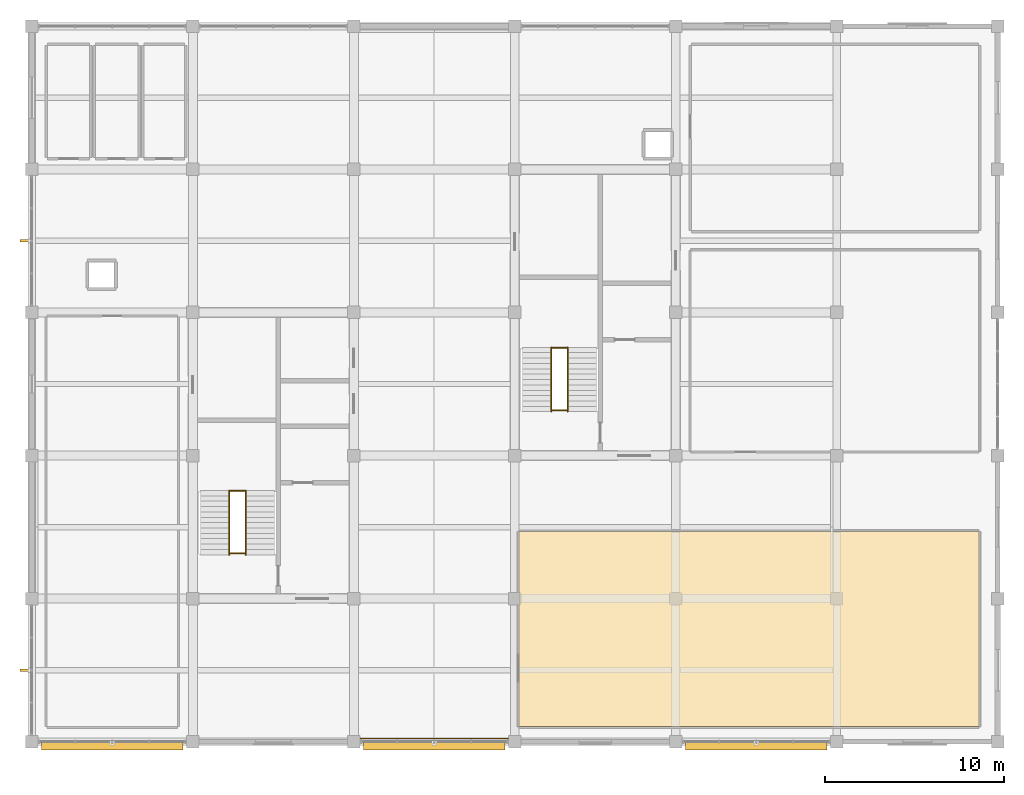
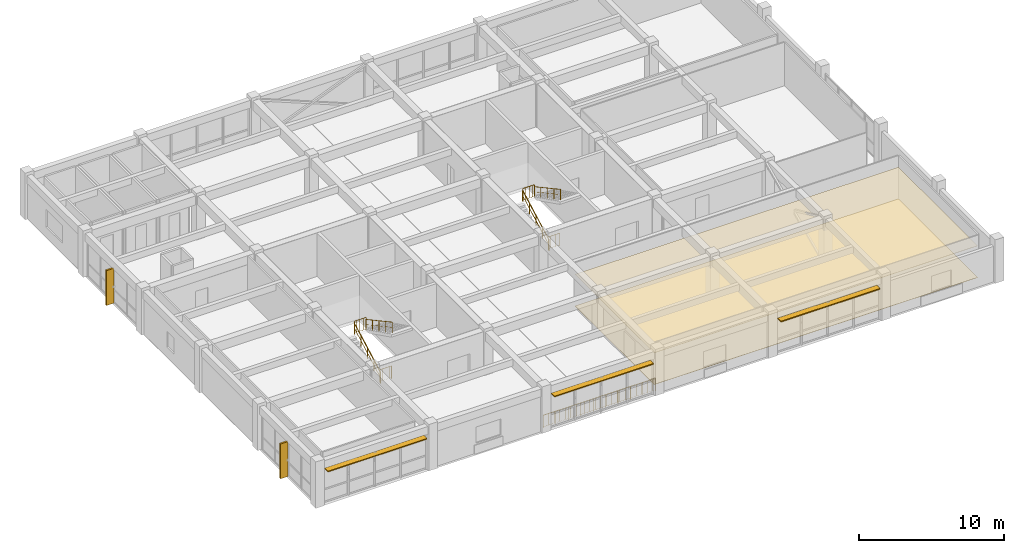
# One storey, part 13 of 13: 9 railings, 5 shading devices, 2 coverings.
"""IFC4 building model written with IfcOpenShell, lengths in metres."""

from ifc_helpers import new_model, si_unit, direction, frame, frame_2d, origin, origin_2d, place, context, subcontext, project, spatial, polyline, rectangle, circle, outline, extrude, material, layer, layer_set, type_object, element, save


model = new_model("IFC4")

# Units and contexts
model_context = context("Model", 3, precision=1e-05, world=origin(), true_north=direction((0.0, 1.0)))
body_context = subcontext(model_context, "Body", "Model", "MODEL_VIEW")
ifc_project = project(units=[si_unit("LENGTHUNIT", "METRE"), si_unit("AREAUNIT", "SQUARE_METRE"), si_unit("VOLUMEUNIT", "CUBIC_METRE"), si_unit("PLANEANGLEUNIT", "RADIAN"), si_unit("MASSUNIT", "GRAM", prefix="KILO")], contexts=[model_context])

# Site, building, storey
site_placement = place(None, origin())
site = spatial("IfcSite", under=ifc_project, at=site_placement, CompositionType="ELEMENT")
building_placement = place(site_placement, origin())
building = spatial("IfcBuilding", under=site, at=building_placement, Name="Zaverband Oceanarium and Marine Research Institute", CompositionType="ELEMENT")
storey_placement = place(building_placement, frame((0.0, 0.0, 64.800048828125)))
storey = spatial("IfcBuildingStorey", under=building, at=storey_placement, Name="L16", CompositionType="ELEMENT", Elevation=64.800048828125)

# Coverings
ifc_material_1 = material(Name="Perforated mineral-fibre acoustic ceiling tile")
ifc_layer_1 = layer(ifc_material_1, 0.02490234375, Name="Perforated mineral-fibre acoustic ceiling tile")
ifc_layer_set_1 = layer_set([ifc_layer_1], Name="Perforated mineral-fibre acoustic ceiling tile")
covering_type_1 = type_object("IfcCoveringType", Name="CLG-AC-15", PredefinedType="CEILING", material=ifc_layer_set_1)
covering_1_placement = place(storey_placement, frame((0.0, 0.0, 2.659912109375)))
element("IfcCovering", 1, at=covering_1_placement, inside=storey, type_object=covering_type_1, Name="Suspended acoustic ceiling CLG-AC-15", PredefinedType="CEILING", context=body_context, shape_type="SweptSolid", body=[
    extrude(outline(polyline([(36.25, 72.85009765625), (61.949951171875, 72.85009765625), (61.949951171875, 83.75), (36.25, 83.75), (36.25, 72.85009765625)])), origin(), (0.0, 0.0, 1.0), 0.025146484375),
])
ifc_material_2 = material(Name="Polished marine terrazzo and seamless laboratory epoxy flooring")
ifc_layer_2 = layer(ifc_material_2, 0.02490234375, Name="Polished marine terrazzo and seamless laboratory epoxy flooring")
ifc_layer_set_2 = layer_set([ifc_layer_2], Name="Polished marine terrazzo and seamless laboratory epoxy flooring")
covering_type_2 = type_object("IfcCoveringType", Name="FLR-TRZ-20", PredefinedType="FLOORING", material=ifc_layer_set_2)
covering_2_placement = place(storey_placement, origin())
element("IfcCovering", 2, at=covering_2_placement, inside=storey, type_object=covering_type_2, Name="Terrazzo and marine epoxy floor finish FLR-TRZ-20", PredefinedType="FLOORING", context=body_context, shape_type="SweptSolid", body=[
    extrude(outline(polyline([(36.25, 72.85009765625), (61.949951171875, 72.85009765625), (61.949951171875, 83.75), (36.25, 83.75), (36.25, 72.85009765625)])), origin(), (0.0, 0.0, 1.0), 0.02490234375),
])

# Railings
ifc_material_3 = material(Name="Steel S355", Category="steel")
ifc_layer_3 = layer(ifc_material_3, 0.06005859375, Name="Steel S355")
ifc_layer_set_3 = layer_set([ifc_layer_3], Name="Steel S355")
railing_type_1 = type_object("IfcRailingType", Name="GRD-1100", PredefinedType="BALUSTRADE", material=ifc_layer_set_3)
for number, where, name in (
    (3, (20.0400390625, 86.030029296875, 1.949951171875), "1100 mm steel post-and-baluster safety guard GRD-1100"),
    (4, (20.0400390625, 82.530029296875, 0.0), "1100 mm steel post-and-baluster safety guard GRD-1100"),
    (5, (38.0400390625, 94.030029296875, 1.949951171875), "1100 mm steel post-and-baluster safety guard GRD-1100"),
    (6, (38.0400390625, 90.530029296875, 0.0), "1100 mm steel post-and-baluster safety guard GRD-1100"),
):
    element("IfcRailing", number, at=place(storey_placement, frame(where)), inside=storey, type_object=railing_type_1, Name=name, PredefinedType="BALUSTRADE", context=body_context, shape_type="SweptSolid", body=[
        extrude(circle(Radius=0.02392578125, at=origin_2d()), frame((0.0, 0.0, 1.076171875), z_axis=(1.0, 0.0, 0.0), x_axis=(0.0, 1.0, 0.0)), (0.0, 0.0, 1.0), 0.919921875),
        extrude(circle(Radius=0.009033203125, at=origin_2d()), frame((0.0, 0.0, 0.10009765625), z_axis=(1.0, 0.0, 0.0), x_axis=(0.0, 1.0, 0.0)), (0.0, 0.0, 1.0), 0.919921875),
        extrude(circle(Radius=0.009033203125, at=origin_2d()), frame((0.18408203125, 0.0, 0.10009765625)), (0.0, 0.0, 1.0), 0.951904296875),
        extrude(circle(Radius=0.009033203125, at=origin_2d()), frame((0.367919921875, 0.0, 0.10009765625)), (0.0, 0.0, 1.0), 0.951904296875),
        extrude(circle(Radius=0.009033203125, at=origin_2d()), frame((0.552001953125, 0.0, 0.10009765625)), (0.0, 0.0, 1.0), 0.951904296875),
        extrude(circle(Radius=0.009033203125, at=origin_2d()), frame((0.73583984375, 0.0, 0.10009765625)), (0.0, 0.0, 1.0), 0.951904296875),
        extrude(circle(Radius=0.02099609375, at=origin_2d()), origin(), (0.0, 0.0, 1.0), 1.052001953125),
        extrude(circle(Radius=0.02099609375, at=origin_2d()), frame((0.919921875, 0.0, 0.0)), (0.0, 0.0, 1.0), 1.052001953125),
    ])
railing_1_placement = place(storey_placement, frame((27.050048828125, 72.179931640625, 0.0)))
element("IfcRailing", 7, at=railing_1_placement, inside=storey, type_object=railing_type_1, Name="1100 mm steel post-and-baluster safety guard GRD-1100", PredefinedType="BALUSTRADE", context=body_context, shape_type="SweptSolid", body=[
    extrude(circle(Radius=0.02392578125, at=origin_2d()), frame((0.0, 0.0, 1.076171875), z_axis=(1.0, 0.0, 0.0), x_axis=(0.0, 1.0, 0.0)), (0.0, 0.0, 1.0), 8.89990234375),
    extrude(circle(Radius=0.009033203125, at=origin_2d()), frame((0.0, 0.0, 0.10009765625), z_axis=(1.0, 0.0, 0.0), x_axis=(0.0, 1.0, 0.0)), (0.0, 0.0, 1.0), 8.89990234375),
    extrude(circle(Radius=0.009033203125, at=origin_2d()), frame((0.217041015625, 0.0, 0.10009765625)), (0.0, 0.0, 1.0), 0.951904296875),
    extrude(circle(Radius=0.009033203125, at=origin_2d()), frame((0.43408203125, 0.0, 0.10009765625)), (0.0, 0.0, 1.0), 0.951904296875),
    extrude(circle(Radius=0.009033203125, at=origin_2d()), frame((0.651123046875, 0.0, 0.10009765625)), (0.0, 0.0, 1.0), 0.951904296875),
    extrude(circle(Radius=0.009033203125, at=origin_2d()), frame((0.8681640625, 0.0, 0.10009765625)), (0.0, 0.0, 1.0), 0.951904296875),
    extrude(circle(Radius=0.009033203125, at=origin_2d()), frame((1.08544921875, 0.0, 0.10009765625)), (0.0, 0.0, 1.0), 0.951904296875),
    extrude(circle(Radius=0.009033203125, at=origin_2d()), frame((1.302490234375, 0.0, 0.10009765625)), (0.0, 0.0, 1.0), 0.951904296875),
    extrude(circle(Radius=0.009033203125, at=origin_2d()), frame((1.51953125, 0.0, 0.10009765625)), (0.0, 0.0, 1.0), 0.951904296875),
    extrude(circle(Radius=0.009033203125, at=origin_2d()), frame((1.736572265625, 0.0, 0.10009765625)), (0.0, 0.0, 1.0), 0.951904296875),
    extrude(circle(Radius=0.009033203125, at=origin_2d()), frame((1.95361328125, 0.0, 0.10009765625)), (0.0, 0.0, 1.0), 0.951904296875),
    extrude(circle(Radius=0.009033203125, at=origin_2d()), frame((2.170654296875, 0.0, 0.10009765625)), (0.0, 0.0, 1.0), 0.951904296875),
    extrude(circle(Radius=0.009033203125, at=origin_2d()), frame((2.3876953125, 0.0, 0.10009765625)), (0.0, 0.0, 1.0), 0.951904296875),
    extrude(circle(Radius=0.009033203125, at=origin_2d()), frame((2.604736328125, 0.0, 0.10009765625)), (0.0, 0.0, 1.0), 0.951904296875),
    extrude(circle(Radius=0.009033203125, at=origin_2d()), frame((2.822021484375, 0.0, 0.10009765625)), (0.0, 0.0, 1.0), 0.951904296875),
    extrude(circle(Radius=0.009033203125, at=origin_2d()), frame((3.0390625, 0.0, 0.10009765625)), (0.0, 0.0, 1.0), 0.951904296875),
    extrude(circle(Radius=0.009033203125, at=origin_2d()), frame((3.256103515625, 0.0, 0.10009765625)), (0.0, 0.0, 1.0), 0.951904296875),
    extrude(circle(Radius=0.009033203125, at=origin_2d()), frame((3.47314453125, 0.0, 0.10009765625)), (0.0, 0.0, 1.0), 0.951904296875),
    extrude(circle(Radius=0.009033203125, at=origin_2d()), frame((3.690185546875, 0.0, 0.10009765625)), (0.0, 0.0, 1.0), 0.951904296875),
    extrude(circle(Radius=0.009033203125, at=origin_2d()), frame((3.9072265625, 0.0, 0.10009765625)), (0.0, 0.0, 1.0), 0.951904296875),
    extrude(circle(Radius=0.009033203125, at=origin_2d()), frame((4.124267578125, 0.0, 0.10009765625)), (0.0, 0.0, 1.0), 0.951904296875),
    extrude(circle(Radius=0.009033203125, at=origin_2d()), frame((4.34130859375, 0.0, 0.10009765625)), (0.0, 0.0, 1.0), 0.951904296875),
    extrude(circle(Radius=0.009033203125, at=origin_2d()), frame((4.55859375, 0.0, 0.10009765625)), (0.0, 0.0, 1.0), 0.951904296875),
    extrude(circle(Radius=0.009033203125, at=origin_2d()), frame((4.775634765625, 0.0, 0.10009765625)), (0.0, 0.0, 1.0), 0.951904296875),
    extrude(circle(Radius=0.009033203125, at=origin_2d()), frame((4.99267578125, 0.0, 0.10009765625)), (0.0, 0.0, 1.0), 0.951904296875),
    extrude(circle(Radius=0.009033203125, at=origin_2d()), frame((5.209716796875, 0.0, 0.10009765625)), (0.0, 0.0, 1.0), 0.951904296875),
    extrude(circle(Radius=0.009033203125, at=origin_2d()), frame((5.4267578125, 0.0, 0.10009765625)), (0.0, 0.0, 1.0), 0.951904296875),
    extrude(circle(Radius=0.009033203125, at=origin_2d()), frame((5.643798828125, 0.0, 0.10009765625)), (0.0, 0.0, 1.0), 0.951904296875),
    extrude(circle(Radius=0.009033203125, at=origin_2d()), frame((5.86083984375, 0.0, 0.10009765625)), (0.0, 0.0, 1.0), 0.951904296875),
    extrude(circle(Radius=0.009033203125, at=origin_2d()), frame((6.077880859375, 0.0, 0.10009765625)), (0.0, 0.0, 1.0), 0.951904296875),
    extrude(circle(Radius=0.009033203125, at=origin_2d()), frame((6.295166015625, 0.0, 0.10009765625)), (0.0, 0.0, 1.0), 0.951904296875),
    extrude(circle(Radius=0.009033203125, at=origin_2d()), frame((6.51220703125, 0.0, 0.10009765625)), (0.0, 0.0, 1.0), 0.951904296875),
    extrude(circle(Radius=0.009033203125, at=origin_2d()), frame((6.729248046875, 0.0, 0.10009765625)), (0.0, 0.0, 1.0), 0.951904296875),
    extrude(circle(Radius=0.009033203125, at=origin_2d()), frame((6.9462890625, 0.0, 0.10009765625)), (0.0, 0.0, 1.0), 0.951904296875),
    extrude(circle(Radius=0.009033203125, at=origin_2d()), frame((7.163330078125, 0.0, 0.10009765625)), (0.0, 0.0, 1.0), 0.951904296875),
    extrude(circle(Radius=0.009033203125, at=origin_2d()), frame((7.38037109375, 0.0, 0.10009765625)), (0.0, 0.0, 1.0), 0.951904296875),
    extrude(circle(Radius=0.009033203125, at=origin_2d()), frame((7.597412109375, 0.0, 0.10009765625)), (0.0, 0.0, 1.0), 0.951904296875),
    extrude(circle(Radius=0.009033203125, at=origin_2d()), frame((7.814453125, 0.0, 0.10009765625)), (0.0, 0.0, 1.0), 0.951904296875),
    extrude(circle(Radius=0.009033203125, at=origin_2d()), frame((8.03173828125, 0.0, 0.10009765625)), (0.0, 0.0, 1.0), 0.951904296875),
    extrude(circle(Radius=0.009033203125, at=origin_2d()), frame((8.248779296875, 0.0, 0.10009765625)), (0.0, 0.0, 1.0), 0.951904296875),
    extrude(circle(Radius=0.009033203125, at=origin_2d()), frame((8.4658203125, 0.0, 0.10009765625)), (0.0, 0.0, 1.0), 0.951904296875),
    extrude(circle(Radius=0.009033203125, at=origin_2d()), frame((8.682861328125, 0.0, 0.10009765625)), (0.0, 0.0, 1.0), 0.951904296875),
    extrude(circle(Radius=0.02099609375, at=origin_2d()), origin(), (0.0, 0.0, 1.0), 1.052001953125),
    extrude(circle(Radius=0.02099609375, at=origin_2d()), frame((0.98876953125, 0.0, 0.0)), (0.0, 0.0, 1.0), 1.052001953125),
    extrude(circle(Radius=0.02099609375, at=origin_2d()), frame((1.977783203125, 0.0, 0.0)), (0.0, 0.0, 1.0), 1.052001953125),
    extrude(circle(Radius=0.02099609375, at=origin_2d()), frame((2.966552734375, 0.0, 0.0)), (0.0, 0.0, 1.0), 1.052001953125),
    extrude(circle(Radius=0.02099609375, at=origin_2d()), frame((3.95556640625, 0.0, 0.0)), (0.0, 0.0, 1.0), 1.052001953125),
    extrude(circle(Radius=0.02099609375, at=origin_2d()), frame((4.9443359375, 0.0, 0.0)), (0.0, 0.0, 1.0), 1.052001953125),
    extrude(circle(Radius=0.02099609375, at=origin_2d()), frame((5.933349609375, 0.0, 0.0)), (0.0, 0.0, 1.0), 1.052001953125),
    extrude(circle(Radius=0.02099609375, at=origin_2d()), frame((6.922119140625, 0.0, 0.0)), (0.0, 0.0, 1.0), 1.052001953125),
    extrude(circle(Radius=0.02099609375, at=origin_2d()), frame((7.9111328125, 0.0, 0.0)), (0.0, 0.0, 1.0), 1.052001953125),
    extrude(circle(Radius=0.02099609375, at=origin_2d()), frame((8.89990234375, 0.0, 0.0)), (0.0, 0.0, 1.0), 1.052001953125),
])
ifc_layer_4 = layer(ifc_material_3, 0.050048828125, Name="Steel S355")
ifc_layer_set_4 = layer_set([ifc_layer_4], Name="Steel S355")
railing_type_2 = type_object("IfcRailingType", Name="HR-920", PredefinedType="HANDRAIL", material=ifc_layer_set_4)
railing_2_placement = place(storey_placement, frame((20.0400390625, 82.449951171875, 0.0)))
element("IfcRailing", 8, at=railing_2_placement, inside=storey, type_object=railing_type_2, Name="920 mm continuous tubular stair and ramp handrail HR-920", PredefinedType="HANDRAIL", context=body_context, shape_type="SweptSolid", body=[
    extrude(circle(Radius=0.02392578125, at=origin_2d()), frame((0.0, 0.0, 0.89599609375), z_axis=(0.0, 0.879302371543, 0.476263938798), x_axis=(-1.0, 0.0, 0.0)), (0.0, 0.0, 1.0), 4.09423828125),
    extrude(circle(Radius=0.009033203125, at=origin_2d()), frame((0.0, 0.0, 0.4599609375), z_axis=(0.0, 0.879302371543, 0.476263938798), x_axis=(-1.0, 0.0, 0.0)), (0.0, 0.0, 1.0), 4.09423828125),
    extrude(circle(Radius=0.02099609375, at=origin_2d()), origin(), (0.0, 0.0, 1.0), 0.871826171875),
    extrude(circle(Radius=0.02099609375, at=origin_2d()), frame((0.0, 0.89990234375, 0.487548828125)), (0.0, 0.0, 1.0), 0.871826171875),
    extrude(circle(Radius=0.02099609375, at=origin_2d()), frame((0.0, 1.800048828125, 0.97509765625)), (0.0, 0.0, 1.0), 0.871826171875),
    extrude(circle(Radius=0.02099609375, at=origin_2d()), frame((0.0, 2.7001953125, 1.46240234375)), (0.0, 0.0, 1.0), 0.871826171875),
    extrude(circle(Radius=0.02099609375, at=origin_2d()), frame((0.0, 3.60009765625, 1.949951171875)), (0.0, 0.0, 1.0), 0.871826171875),
])
railing_3_placement = place(storey_placement, frame((20.9599609375, 86.050048828125, 1.949951171875)))
element("IfcRailing", 9, at=railing_3_placement, inside=storey, type_object=railing_type_2, Name="920 mm continuous tubular stair and ramp handrail HR-920", PredefinedType="HANDRAIL", context=body_context, shape_type="SweptSolid", body=[
    extrude(circle(Radius=0.02392578125, at=origin_2d()), frame((0.0, 0.0, 0.89599609375), z_axis=(0.0, -0.879302371543, 0.476263938798), x_axis=(1.0, 0.0, 0.0)), (0.0, 0.0, 1.0), 4.09423828125),
    extrude(circle(Radius=0.009033203125, at=origin_2d()), frame((0.0, 0.0, 0.4599609375), z_axis=(0.0, -0.879302371543, 0.476263938798), x_axis=(1.0, 0.0, 0.0)), (0.0, 0.0, 1.0), 4.09423828125),
    extrude(circle(Radius=0.02099609375, at=origin_2d()), origin(), (0.0, 0.0, 1.0), 0.871826171875),
    extrude(circle(Radius=0.02099609375, at=origin_2d()), frame((0.0, -0.89990234375, 0.487548828125)), (0.0, 0.0, 1.0), 0.871826171875),
    extrude(circle(Radius=0.02099609375, at=origin_2d()), frame((0.0, -1.800048828125, 0.97509765625)), (0.0, 0.0, 1.0), 0.871826171875),
    extrude(circle(Radius=0.02099609375, at=origin_2d()), frame((0.0, -2.7001953125, 1.46240234375)), (0.0, 0.0, 1.0), 0.871826171875),
    extrude(circle(Radius=0.02099609375, at=origin_2d()), frame((0.0, -3.60009765625, 1.949951171875)), (0.0, 0.0, 1.0), 0.871826171875),
])
railing_4_placement = place(storey_placement, frame((38.0400390625, 90.449951171875, 0.0)))
element("IfcRailing", 10, at=railing_4_placement, inside=storey, type_object=railing_type_2, Name="920 mm continuous tubular stair and ramp handrail HR-920", PredefinedType="HANDRAIL", context=body_context, shape_type="SweptSolid", body=[
    extrude(circle(Radius=0.02392578125, at=origin_2d()), frame((0.0, 0.0, 0.89599609375), z_axis=(0.0, 0.879302371543, 0.476263938798), x_axis=(-1.0, 0.0, 0.0)), (0.0, 0.0, 1.0), 4.09423828125),
    extrude(circle(Radius=0.009033203125, at=origin_2d()), frame((0.0, 0.0, 0.4599609375), z_axis=(0.0, 0.879302371543, 0.476263938798), x_axis=(-1.0, 0.0, 0.0)), (0.0, 0.0, 1.0), 4.09423828125),
    extrude(circle(Radius=0.02099609375, at=origin_2d()), origin(), (0.0, 0.0, 1.0), 0.871826171875),
    extrude(circle(Radius=0.02099609375, at=origin_2d()), frame((0.0, 0.89990234375, 0.487548828125)), (0.0, 0.0, 1.0), 0.871826171875),
    extrude(circle(Radius=0.02099609375, at=origin_2d()), frame((0.0, 1.800048828125, 0.97509765625)), (0.0, 0.0, 1.0), 0.871826171875),
    extrude(circle(Radius=0.02099609375, at=origin_2d()), frame((0.0, 2.7001953125, 1.46240234375)), (0.0, 0.0, 1.0), 0.871826171875),
    extrude(circle(Radius=0.02099609375, at=origin_2d()), frame((0.0, 3.60009765625, 1.949951171875)), (0.0, 0.0, 1.0), 0.871826171875),
])
railing_5_placement = place(storey_placement, frame((38.9599609375, 94.050048828125, 1.949951171875)))
element("IfcRailing", 11, at=railing_5_placement, inside=storey, type_object=railing_type_2, Name="920 mm continuous tubular stair and ramp handrail HR-920", PredefinedType="HANDRAIL", context=body_context, shape_type="SweptSolid", body=[
    extrude(circle(Radius=0.02392578125, at=origin_2d()), frame((0.0, 0.0, 0.89599609375), z_axis=(0.0, -0.879302371543, 0.476263938798), x_axis=(1.0, 0.0, 0.0)), (0.0, 0.0, 1.0), 4.09423828125),
    extrude(circle(Radius=0.009033203125, at=origin_2d()), frame((0.0, 0.0, 0.4599609375), z_axis=(0.0, -0.879302371543, 0.476263938798), x_axis=(1.0, 0.0, 0.0)), (0.0, 0.0, 1.0), 4.09423828125),
    extrude(circle(Radius=0.02099609375, at=origin_2d()), origin(), (0.0, 0.0, 1.0), 0.871826171875),
    extrude(circle(Radius=0.02099609375, at=origin_2d()), frame((0.0, -0.89990234375, 0.487548828125)), (0.0, 0.0, 1.0), 0.871826171875),
    extrude(circle(Radius=0.02099609375, at=origin_2d()), frame((0.0, -1.800048828125, 0.97509765625)), (0.0, 0.0, 1.0), 0.871826171875),
    extrude(circle(Radius=0.02099609375, at=origin_2d()), frame((0.0, -2.7001953125, 1.46240234375)), (0.0, 0.0, 1.0), 0.871826171875),
    extrude(circle(Radius=0.02099609375, at=origin_2d()), frame((0.0, -3.60009765625, 1.949951171875)), (0.0, 0.0, 1.0), 0.871826171875),
])

# Shading devices
ifc_material_4 = material(Name="Concrete C40/50 precast brise-soleil", Category="concrete")
ifc_layer_5 = layer(ifc_material_4, 0.139892578125, Name="Concrete C40/50 precast brise-soleil")
ifc_layer_set_5 = layer_set([ifc_layer_5], Name="Concrete C40/50 precast brise-soleil")
shading_device_type_1 = type_object("IfcShadingDeviceType", Name="SHD-FIN-600", PredefinedType="JALOUSIE", material=ifc_layer_set_5)
for number, where, z_axis, x_axis, name in (
    (12, (8.93994140625, 76.0, 0.0), (0.0, 0.0, 1.0), (-1.0, 0.0, 0.0), "600 mm vertical precast brise-soleil fin SHD-FIN-600"),
    (13, (8.93994140625, 100.0, 0.0), (0.0, 0.0, 1.0), (-1.0, 0.0, 0.0), "600 mm vertical precast brise-soleil fin SHD-FIN-600"),
):
    element("IfcShadingDevice", number, at=place(storey_placement, frame(where, z_axis=z_axis, x_axis=x_axis)), inside=storey, type_object=shading_device_type_1, Name=name, PredefinedType="JALOUSIE", context=body_context, shape_type="SweptSolid", body=[
        extrude(rectangle(XDim=0.599853515625, YDim=0.139892578125, at=frame_2d((0.2998046875, 0.0))), origin(), (0.0, 0.0, 1.0), 2.929931640625),
    ])
ifc_material_5 = material(Name="Anodized bronze marine-grade aluminium", Category="aluminium")
ifc_layer_6 = layer(ifc_material_5, 0.080078125, Name="Anodized bronze marine-grade aluminium")
ifc_layer_set_6 = layer_set([ifc_layer_6], Name="Anodized bronze marine-grade aluminium")
shading_device_type_2 = type_object("IfcShadingDeviceType", Name="SHD-LVR-450", PredefinedType="USERDEFINED", material=ifc_layer_set_6)
for number, where, z_axis, x_axis, name in (
    (14, (9.554931640625, 71.760009765625, 2.800048828125), (0.0, 0.0, 1.0), (1.0, 0.0, 0.0), "450 mm horizontal solar shading louvre SHD-LVR-450"),
    (15, (27.554931640625, 71.760009765625, 2.800048828125), (0.0, 0.0, 1.0), (1.0, 0.0, 0.0), "450 mm horizontal solar shading louvre SHD-LVR-450"),
    (16, (45.554931640625, 71.760009765625, 2.800048828125), (0.0, 0.0, 1.0), (1.0, 0.0, 0.0), "450 mm horizontal solar shading louvre SHD-LVR-450"),
):
    element("IfcShadingDevice", number, at=place(storey_placement, frame(where, z_axis=z_axis, x_axis=x_axis)), inside=storey, type_object=shading_device_type_2, Name=name, ObjectType="LOUVRE", PredefinedType="USERDEFINED", context=body_context, shape_type="SweptSolid", body=[
        extrude(rectangle(XDim=7.89013671875, YDim=0.449951171875, at=frame_2d((3.945068359375, 0.0))), origin(), (0.0, 0.0, 1.0), 0.079833984375),
    ])

save(model, "model.ifc")
